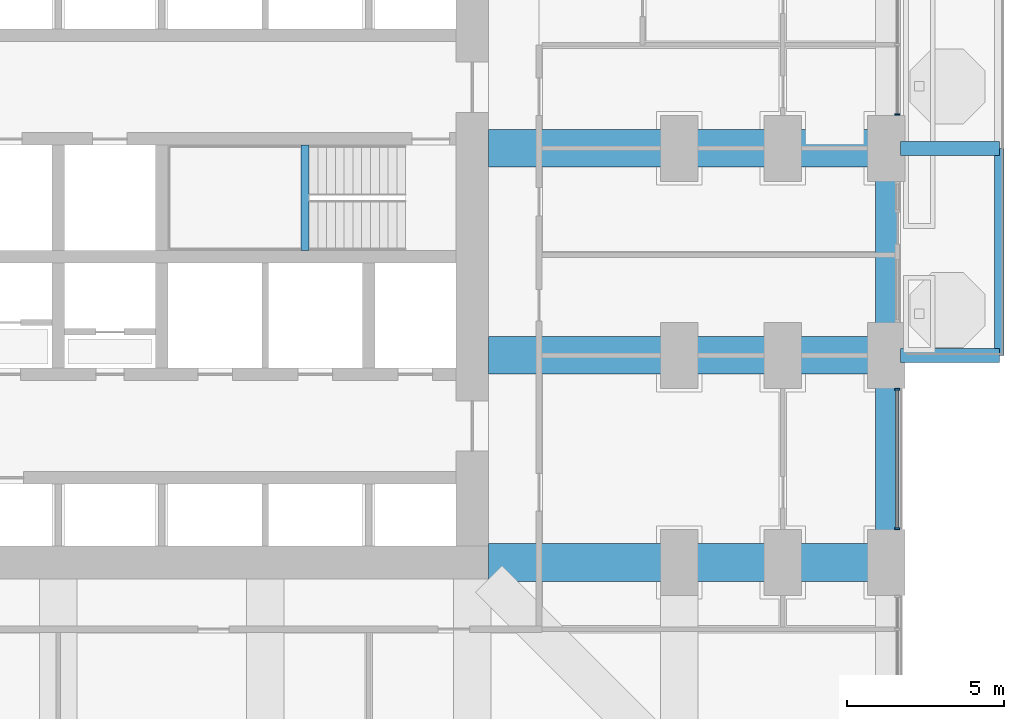
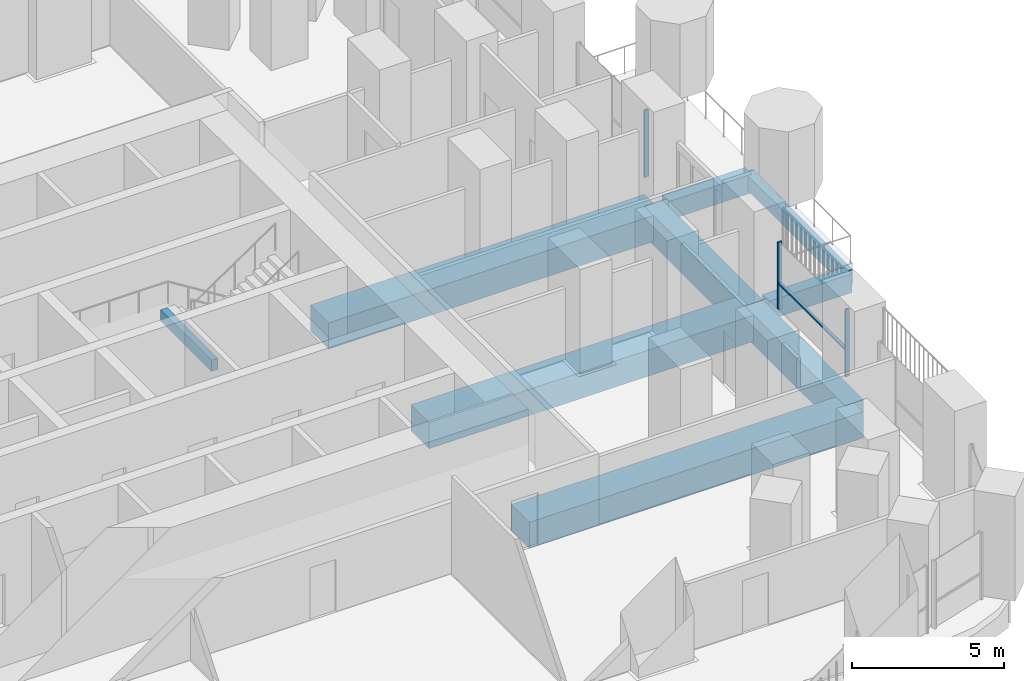
# One storey, part 5 of 26: 9 beams, 4 members, 2 elements without a shape of their own.
"""IFC4 building model written with IfcOpenShell, lengths in metres."""

from ifc_helpers import new_model, si_unit, direction, frame, origin, origin_2d, place, context, subcontext, project, spatial, rectangle, extrude, material, material_profile, profile_set, type_object, element, aggregate, save


model = new_model("IFC4")

# Units and contexts
model_context = context("Model", 3, precision=1e-05, world=origin(), true_north=direction((0.0, 1.0)))
body_context = subcontext(model_context, "Body", "Model", "MODEL_VIEW")
ifc_project = project(units=[si_unit("LENGTHUNIT", "METRE"), si_unit("AREAUNIT", "SQUARE_METRE"), si_unit("VOLUMEUNIT", "CUBIC_METRE"), si_unit("PLANEANGLEUNIT", "RADIAN"), si_unit("MASSUNIT", "GRAM", prefix="KILO")], contexts=[model_context])

# Site, building, storey
site_placement = place(None, origin())
site = spatial("IfcSite", under=ifc_project, at=site_placement, CompositionType="ELEMENT")
building_placement = place(site_placement, origin())
building = spatial("IfcBuilding", under=site, at=building_placement, Name="Cobogo Forest Laboratory Tower", CompositionType="ELEMENT")
storey_placement = place(building_placement, frame((0.0, 0.0, 25.5)))
storey = spatial("IfcBuildingStorey", under=building, at=storey_placement, Name="L05", CompositionType="ELEMENT", Elevation=25.5)

# Beams
ifc_material_1 = material(Name="Concrete HA-40 (C40/50)", Category="concrete")
ifc_material_profile_1 = material_profile(ifc_material_1, rectangle(XDim=0.449951171875, YDim=0.75, at=origin_2d()), Name="RC 450x750")
ifc_profile_set_1 = profile_set([ifc_material_profile_1], Name="Concrete HA-40 (C40/50)")
beam_type_1 = type_object("IfcBeamType", Name="Balcony cantilever beam 450x750", PredefinedType="BEAM", material=ifc_profile_set_1)
for number, where, z_axis, x_axis, name in (
    (1, (53.25, 19.800048828125, -0.625), (1.0, 0.0, 0.0), (0.0, 1.0, 0.0), "CB1 BAL-E1-C1 L05"),
    (2, (53.25, 26.39990234375, -0.625), (1.0, 0.0, 0.0), (0.0, 1.0, 0.0), "CB1 BAL-E1-C2 L05"),
):
    element("IfcBeam", number, at=place(storey_placement, frame(where, z_axis=z_axis, x_axis=x_axis)), inside=storey, type_object=beam_type_1, Name=name, PredefinedType="BEAM", context=body_context, shape_type="SweptSolid", body=[
        extrude(rectangle(XDim=0.449951171875, YDim=0.75, at=origin_2d()), origin(), (0.0, 0.0, 1.0), 3.14990234375),
    ])
ifc_material_profile_2 = material_profile(ifc_material_1, rectangle(XDim=0.300048828125, YDim=0.60009765625, at=origin_2d()), Name="RC 300x600")
ifc_profile_set_2 = profile_set([ifc_material_profile_2], Name="Concrete HA-40 (C40/50)")
beam_type_2 = type_object("IfcBeamType", Name="Balcony edge beam 300x600", PredefinedType="BEAM", material=ifc_profile_set_2)
beam_1_placement = place(storey_placement, frame((56.39990234375, 19.800048828125, -0.550048828125), z_axis=(0.0, 1.0, 0.0), x_axis=(-1.0, 0.0, 0.0)))
element("IfcBeam", 3, at=beam_1_placement, inside=storey, type_object=beam_type_2, Name="BB1 BAL-E1-T1 L05", PredefinedType="BEAM", context=body_context, shape_type="SweptSolid", body=[
    extrude(rectangle(XDim=0.300048828125, YDim=0.60009765625, at=origin_2d()), origin(), (0.0, 0.0, 1.0), 6.599853515625),
])
ifc_material_profile_3 = material_profile(ifc_material_1, rectangle(XDim=0.25, YDim=0.449951171875, at=origin_2d()), Name="RC 250x450")
ifc_profile_set_3 = profile_set([ifc_material_profile_3], Name="Concrete HA-40 (C40/50)")
beam_type_3 = type_object("IfcBeamType", Name="LB1 landing beam 250x450", PredefinedType="BEAM", material=ifc_profile_set_3)
beam_2_placement = place(storey_placement, frame((34.27001953125, 23.14990234375, 1.675048828125), z_axis=(0.0, 1.0, 0.0), x_axis=(-1.0, 0.0, 0.0)))
element("IfcBeam", 4, at=beam_2_placement, inside=storey, type_object=beam_type_3, Name="Landing beam ST2 L05", PredefinedType="BEAM", context=body_context, shape_type="SweptSolid", body=[
    extrude(rectangle(XDim=0.25, YDim=0.449951171875, at=origin_2d()), origin(), (0.0, 0.0, 1.0), 3.35009765625),
])
ifc_material_profile_4 = material_profile(ifc_material_1, rectangle(XDim=1.199951171875, YDim=1.050048828125, at=origin_2d()), Name="RC 1200x1050")
ifc_profile_set_4 = profile_set([ifc_material_profile_4], Name="Concrete HA-40 (C40/50)")
beam_type_4 = type_object("IfcBeamType", Name="Laboratory floor wide beam 1200x1050", PredefinedType="BEAM", material=ifc_profile_set_4)
for number, where, z_axis, x_axis, name in (
    (5, (40.125, 13.199951171875, -0.824951171875), (1.0, 0.0, 0.0), (0.0, 1.0, 0.0), "RB1 R-C-E L05"),
    (6, (40.125, 19.800048828125, -0.824951171875), (1.0, 0.0, 0.0), (0.0, 1.0, 0.0), "RB1 R-D-E L05"),
    (7, (40.125, 26.39990234375, -0.824951171875), (1.0, 0.0, 0.0), (0.0, 1.0, 0.0), "RB1 R-E-E L05"),
):
    element("IfcBeam", number, at=place(storey_placement, frame(where, z_axis=z_axis, x_axis=x_axis)), inside=storey, type_object=beam_type_4, Name=name, PredefinedType="BEAM", context=body_context, shape_type="SweptSolid", body=[
        extrude(rectangle(XDim=1.199951171875, YDim=1.050048828125, at=origin_2d()), origin(), (0.0, 0.0, 1.0), 12.675048828125),
    ])

# Curtain wall, members
ifc_material_2 = material(Name="Aluminium curtain wall", Category="aluminium")
curtain_wall_type = type_object("IfcCurtainWallType", Name="CW-1 unitised curtain wall, clear glazing, laboratory floors zones A and B", PredefinedType="USERDEFINED", material=ifc_material_2)
curtain_wall_1_placement = place(storey_placement, origin())
curtain_wall_1 = element("IfcCurtainWall", 8, at=curtain_wall_1_placement, inside=storey, type_object=curtain_wall_type, Name="Curtain wall 11 L05", ObjectType="UNITISED CURTAIN WALL", PredefinedType="USERDEFINED")
ifc_material_3 = material(Name="Aluminium mullion", Category="aluminium")
ifc_material_profile_5 = material_profile(ifc_material_3, rectangle(XDim=0.06005859375, YDim=0.159912109375, at=origin_2d()), Name="AL 60x160")
ifc_profile_set_5 = profile_set([ifc_material_profile_5], Name="Aluminium mullion")
member_type_1 = type_object("IfcMemberType", Name="MU-1 aluminium mullion 60x160", PredefinedType="MULLION", material=ifc_profile_set_5)
member_1_placement = place(storey_placement, frame((53.14990234375, 14.280029296875, 0.0), z_axis=(0.0, 0.0, 1.0), x_axis=(0.0, 1.0, 0.0)))
member_1 = element("IfcMember", 9, at=member_1_placement, type_object=member_type_1, Name="CW-1 mullion 1", PredefinedType="MULLION", context=body_context, shape_type="SweptSolid", body=[
    extrude(rectangle(XDim=0.06005859375, YDim=0.159912109375, at=origin_2d()), origin(), (0.0, 0.0, 1.0), 2.699951171875),
])
member_2_placement = place(storey_placement, frame((53.14990234375, 18.719970703125, 0.0), z_axis=(0.0, 0.0, 1.0), x_axis=(0.0, 1.0, 0.0)))
member_2 = element("IfcMember", 10, at=member_2_placement, type_object=member_type_1, Name="CW-1 mullion 2", PredefinedType="MULLION", context=body_context, shape_type="SweptSolid", body=[
    extrude(rectangle(XDim=0.06005859375, YDim=0.159912109375, at=origin_2d()), origin(), (0.0, 0.0, 1.0), 2.699951171875),
])

# Curtain wall, member
curtain_wall_2_placement = place(storey_placement, origin())
curtain_wall_2 = element("IfcCurtainWall", 11, at=curtain_wall_2_placement, inside=storey, type_object=curtain_wall_type, Name="Curtain wall 13 L05", ObjectType="UNITISED CURTAIN WALL", PredefinedType="USERDEFINED")
member_3_placement = place(storey_placement, frame((53.14990234375, 27.47998046875, 0.0), z_axis=(0.0, 0.0, 1.0), x_axis=(0.0, 1.0, 0.0)))
member_3 = element("IfcMember", 12, at=member_3_placement, type_object=member_type_1, Name="CW-1 mullion 1", PredefinedType="MULLION", context=body_context, shape_type="SweptSolid", body=[
    extrude(rectangle(XDim=0.06005859375, YDim=0.159912109375, at=origin_2d()), origin(), (0.0, 0.0, 1.0), 2.699951171875),
])
aggregate(curtain_wall_2, [member_3])

# Beams
ifc_material_profile_6 = material_profile(ifc_material_1, rectangle(XDim=0.699951171875, YDim=1.199951171875, at=origin_2d()), Name="RC 700x1200")
ifc_profile_set_6 = profile_set([ifc_material_profile_6], Name="Concrete HA-40 (C40/50)")
beam_type_5 = type_object("IfcBeamType", Name="Perimeter edge beam 700x1200", PredefinedType="BEAM", material=ifc_profile_set_6)
beam_3_placement = place(storey_placement, frame((52.800048828125, 13.199951171875, -0.89990234375), z_axis=(0.0, 1.0, 0.0), x_axis=(-1.0, 0.0, 0.0)))
element("IfcBeam", 13, at=beam_3_placement, inside=storey, type_object=beam_type_5, Name="EB1 E-E2 L05", PredefinedType="BEAM", context=body_context, shape_type="SweptSolid", body=[
    extrude(rectangle(XDim=0.699951171875, YDim=1.199951171875, at=origin_2d()), origin(), (0.0, 0.0, 1.0), 6.60009765625),
])
beam_4_placement = place(storey_placement, frame((52.800048828125, 19.800048828125, -0.89990234375), z_axis=(0.0, 1.0, 0.0), x_axis=(-1.0, 0.0, 0.0)))
element("IfcBeam", 14, at=beam_4_placement, inside=storey, type_object=beam_type_5, Name="EB1 E-E3 L05", PredefinedType="BEAM", context=body_context, shape_type="SweptSolid", body=[
    extrude(rectangle(XDim=0.699951171875, YDim=1.199951171875, at=origin_2d()), origin(), (0.0, 0.0, 1.0), 6.599853515625),
])

# Member
ifc_material_4 = material(Name="Aluminium transom", Category="aluminium")
ifc_material_profile_7 = material_profile(ifc_material_4, rectangle(XDim=0.1201171875, YDim=0.06005859375, at=origin_2d()), Name="AL 60x120")
ifc_profile_set_7 = profile_set([ifc_material_profile_7], Name="Aluminium transom")
member_type_2 = type_object("IfcMemberType", Name="TR-1 aluminium transom 60x120", PredefinedType="USERDEFINED", material=ifc_profile_set_7)
member_4_placement = place(storey_placement, frame((53.14990234375, 14.31005859375, 1.050048828125), z_axis=(0.0, 1.0, 0.0), x_axis=(-1.0, 0.0, 0.0)))
member_4 = element("IfcMember", 15, at=member_4_placement, type_object=member_type_2, Name="CW-1 transom 1.1", ObjectType="TRANSOM", PredefinedType="USERDEFINED", context=body_context, shape_type="SweptSolid", body=[
    extrude(rectangle(XDim=0.1201171875, YDim=0.06005859375, at=origin_2d()), origin(), (0.0, 0.0, 1.0), 4.3798828125),
])

aggregate(curtain_wall_1, [member_1, member_2, member_4])

save(model, "model.ifc")
